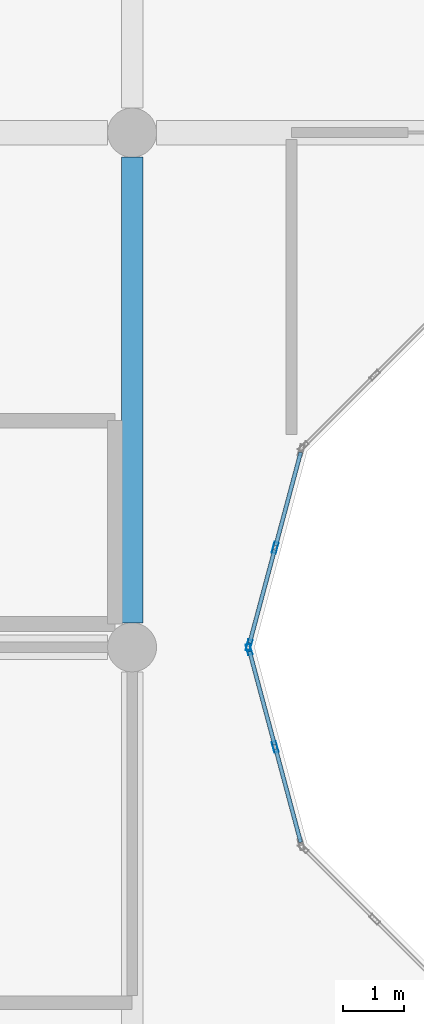
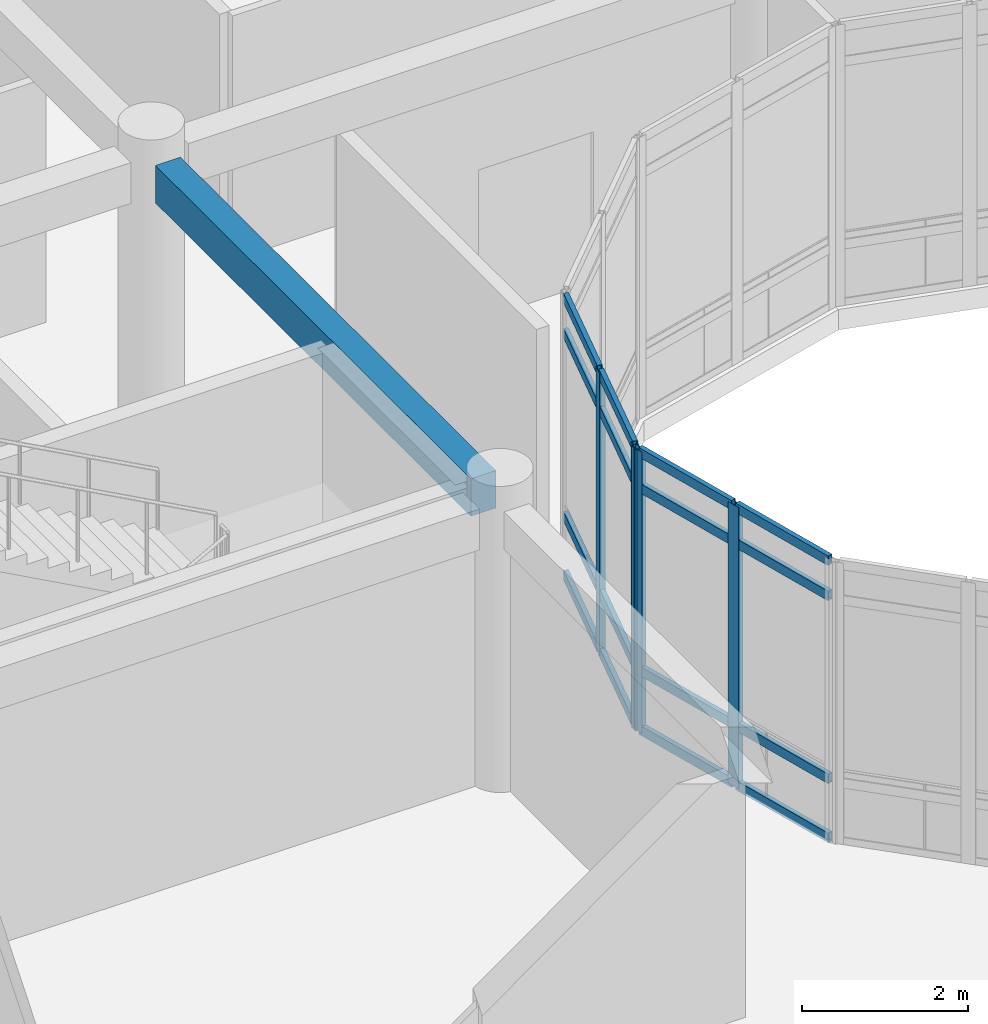
# One storey, part 51 of 144: 20 members, 1 beam, 2 elements without a shape of their own.
"""IFC4 building model written with IfcOpenShell, lengths in metres."""

from ifc_helpers import new_model, si_unit, direction, frame, origin, origin_2d, place, context, subcontext, project, spatial, rectangle, hollow_rectangle, extrude, material, layer, layer_set, material_profile, profile_set, type_object, element, aggregate, save


model = new_model("IFC4")

# Units and contexts
model_context = context("Model", 3, precision=1e-05, world=origin(), true_north=direction((0.0, 1.0)))
body_context = subcontext(model_context, "Body", "Model", "MODEL_VIEW")
ifc_project = project(units=[si_unit("LENGTHUNIT", "METRE"), si_unit("AREAUNIT", "SQUARE_METRE"), si_unit("VOLUMEUNIT", "CUBIC_METRE"), si_unit("PLANEANGLEUNIT", "RADIAN"), si_unit("MASSUNIT", "GRAM", prefix="KILO")], contexts=[model_context])

# Site, building, storey
site_placement = place(None, origin())
site = spatial("IfcSite", under=ifc_project, at=site_placement, CompositionType="ELEMENT")
building_placement = place(site_placement, origin())
building = spatial("IfcBuilding", under=site, at=building_placement, Name="Bramfleet General Hospital", CompositionType="ELEMENT")
storey_placement = place(building_placement, frame((0.0, 0.0, 4.800048828125)))
storey = spatial("IfcBuildingStorey", under=building, at=storey_placement, Name="L01", CompositionType="ELEMENT", Elevation=4.800048828125)

# Beam
ifc_material_1 = material(Name="Concrete C35/45", Category="concrete")
ifc_material_profile_1 = material_profile(ifc_material_1, rectangle(XDim=0.35009765625, YDim=0.550048828125, at=origin_2d()), Name="RC BM 550x350")
ifc_profile_set_1 = profile_set([ifc_material_profile_1], Name="Concrete C35/45")
beam_type = type_object("IfcBeamType", Name="BM-RC550", PredefinedType="BEAM", material=ifc_profile_set_1)
beam_placement = place(storey_placement, frame((109.199951171875, 67.60009765625, 3.875), z_axis=(0.0, 1.0, 0.0), x_axis=(-1.0, 0.0, 0.0)))
element("IfcBeam", 1, at=beam_placement, inside=storey, type_object=beam_type, Name="L01 Grid Beam Y 13-08", PredefinedType="BEAM", context=body_context, shape_type="SweptSolid", body=[
    extrude(rectangle(XDim=0.35009765625, YDim=0.550048828125, at=origin_2d()), origin(), (0.0, 0.0, 1.0), 7.599853515625),
])

# Curtain wall, members
ifc_material_2 = material(Name="Anodised aluminium and low-E triple glazing", Category="aluminium")
ifc_layer_1 = layer(ifc_material_2, 0.179931640625, Name="CWT-CW-17")
ifc_layer_set_1 = layer_set([ifc_layer_1], Name="Anodised aluminium and low-E triple glazing")
curtain_wall_type_1 = type_object("IfcCurtainWallType", Name="CWT-CW-17", PredefinedType="USERDEFINED", material=ifc_layer_set_1)
curtain_wall_1_placement = place(storey_placement, origin())
curtain_wall_1 = element("IfcCurtainWall", 2, at=curtain_wall_1_placement, inside=storey, type_object=curtain_wall_type_1, Name="L01 East Laboratory Light Court Curtain Wall 1.1", ObjectType="Stick curtain wall", PredefinedType="USERDEFINED")
ifc_material_3 = material(Name="Anodised aluminium EN AW-6060", Category="aluminium")
ifc_material_profile_2 = material_profile(ifc_material_3, hollow_rectangle(XDim=0.070068359375, YDim=0.179931640625, WallThickness=0.00390625, at=origin_2d()), Name="ALU 180x70x4.0")
ifc_profile_set_2 = profile_set([ifc_material_profile_2], Name="Anodised aluminium EN AW-6060")
member_type_1 = type_object("IfcMemberType", Name="CWM-ALU180", PredefinedType="MULLION", material=ifc_profile_set_2)
member_1_placement = place(storey_placement, frame((111.109130859375, 67.166259765625, 0.0), z_axis=(0.0, 0.0, 1.0), x_axis=(0.965913556273, 0.258864833085, 0.0)))
member_1 = element("IfcMember", 3, at=member_1_placement, type_object=member_type_1, Name="CW-17 mullion 1", PredefinedType="MULLION", context=body_context, shape_type="SweptSolid", body=[
    extrude(hollow_rectangle(XDim=0.070068359375, YDim=0.179931640625, WallThickness=0.00390625, at=origin_2d()), origin(), (0.0, 0.0, 1.0), 4.139892578125),
])
member_2_placement = place(storey_placement, frame((111.535400390625, 65.574951171875, 0.0), z_axis=(0.0, 0.0, 1.0), x_axis=(0.965913556273, 0.258864833085, 0.0)))
member_2 = element("IfcMember", 4, at=member_2_placement, type_object=member_type_1, Name="CW-17 mullion 2", PredefinedType="MULLION", context=body_context, shape_type="SweptSolid", body=[
    extrude(hollow_rectangle(XDim=0.070068359375, YDim=0.179931640625, WallThickness=0.00390625, at=origin_2d()), origin(), (0.0, 0.0, 1.0), 4.139892578125),
])

ifc_layer_2 = layer(ifc_material_2, 0.179931640625, Name="CWT-CW-12")
ifc_layer_set_2 = layer_set([ifc_layer_2], Name="Anodised aluminium and low-E triple glazing")
curtain_wall_type_2 = type_object("IfcCurtainWallType", Name="CWT-CW-12", PredefinedType="USERDEFINED", material=ifc_layer_set_2)
curtain_wall_2_placement = place(storey_placement, origin())
curtain_wall_2 = element("IfcCurtainWall", 5, at=curtain_wall_2_placement, inside=storey, type_object=curtain_wall_type_2, Name="L01 East Laboratory Light Court Curtain Wall 12.1", ObjectType="Stick curtain wall", PredefinedType="USERDEFINED")
member_3_placement = place(storey_placement, frame((111.535400390625, 68.824951171875, 0.0), z_axis=(0.0, 0.0, 1.0), x_axis=(0.965913556273, -0.258864833085, 0.0)))
member_3 = element("IfcMember", 6, at=member_3_placement, type_object=member_type_1, Name="CW-12 mullion 2", PredefinedType="MULLION", context=body_context, shape_type="SweptSolid", body=[
    extrude(hollow_rectangle(XDim=0.070068359375, YDim=0.179931640625, WallThickness=0.00390625, at=origin_2d()), origin(), (0.0, 0.0, 1.0), 4.139892578125),
])
member_4_placement = place(storey_placement, frame((111.109130859375, 67.23388671875, 0.0), z_axis=(0.0, 0.0, 1.0), x_axis=(0.965913556273, -0.258864833085, 0.0)))
member_4 = element("IfcMember", 7, at=member_4_placement, type_object=member_type_1, Name="CW-12 mullion 3", PredefinedType="MULLION", context=body_context, shape_type="SweptSolid", body=[
    extrude(hollow_rectangle(XDim=0.070068359375, YDim=0.179931640625, WallThickness=0.00390625, at=origin_2d()), origin(), (0.0, 0.0, 1.0), 4.139892578125),
])

# Member
ifc_material_profile_3 = material_profile(ifc_material_3, hollow_rectangle(XDim=0.06494140625, YDim=0.139892578125, WallThickness=0.00390625, at=origin_2d()), Name="ALU 140x65x4.0")
ifc_profile_set_3 = profile_set([ifc_material_profile_3], Name="Anodised aluminium EN AW-6060")
member_type_2 = type_object("IfcMemberType", Name="CWT-ALU140", PredefinedType="USERDEFINED", material=ifc_profile_set_3)
member_5_placement = place(storey_placement, frame((111.1181640625, 67.13232421875, 0.032470703125), z_axis=(0.258818617489, -0.965925940868, 0.0), x_axis=(0.965925940868, 0.258818617489, 0.0)))
member_5 = element("IfcMember", 8, at=member_5_placement, type_object=member_type_2, Name="CW-17 transom 1.1", ObjectType="TRANSOM", PredefinedType="USERDEFINED", context=body_context, shape_type="SweptSolid", body=[
    extrude(hollow_rectangle(XDim=0.06494140625, YDim=0.139892578125, WallThickness=0.00390625, at=origin_2d()), origin(), (0.0, 0.0, 1.0), 1.5771484375),
])

member_6_placement = place(storey_placement, frame((111.1181640625, 67.13232421875, 0.89990234375), z_axis=(0.258818617489, -0.965925940868, 0.0), x_axis=(0.965925940868, 0.258818617489, 0.0)))
member_6 = element("IfcMember", 9, at=member_6_placement, type_object=member_type_2, Name="CW-17 transom 1.2", ObjectType="TRANSOM", PredefinedType="USERDEFINED", context=body_context, shape_type="SweptSolid", body=[
    extrude(hollow_rectangle(XDim=0.06494140625, YDim=0.139892578125, WallThickness=0.00390625, at=origin_2d()), origin(), (0.0, 0.0, 1.0), 1.5771484375),
])

member_7_placement = place(storey_placement, frame((111.1181640625, 67.13232421875, 3.58984375), z_axis=(0.258818617489, -0.965925940868, 0.0), x_axis=(0.965925940868, 0.258818617489, 0.0)))
member_7 = element("IfcMember", 10, at=member_7_placement, type_object=member_type_2, Name="CW-17 transom 1.3", ObjectType="TRANSOM", PredefinedType="USERDEFINED", context=body_context, shape_type="SweptSolid", body=[
    extrude(hollow_rectangle(XDim=0.06494140625, YDim=0.139892578125, WallThickness=0.00390625, at=origin_2d()), origin(), (0.0, 0.0, 1.0), 1.5771484375),
])

member_8_placement = place(storey_placement, frame((111.1181640625, 67.13232421875, 4.107421875), z_axis=(0.258818617489, -0.965925940868, 0.0), x_axis=(0.965925940868, 0.258818617489, 0.0)))
member_8 = element("IfcMember", 11, at=member_8_placement, type_object=member_type_2, Name="CW-17 transom 1.4", ObjectType="TRANSOM", PredefinedType="USERDEFINED", context=body_context, shape_type="SweptSolid", body=[
    extrude(hollow_rectangle(XDim=0.06494140625, YDim=0.139892578125, WallThickness=0.00390625, at=origin_2d()), origin(), (0.0, 0.0, 1.0), 1.5771484375),
])

member_9_placement = place(storey_placement, frame((111.544677734375, 65.541259765625, 0.032470703125), z_axis=(0.25877992417, -0.965936307862, 0.0), x_axis=(0.965936307862, 0.25877992417, 0.0)))
member_9 = element("IfcMember", 12, at=member_9_placement, type_object=member_type_2, Name="CW-17 transom 2.1", ObjectType="TRANSOM", PredefinedType="USERDEFINED", context=body_context, shape_type="SweptSolid", body=[
    extrude(hollow_rectangle(XDim=0.06494140625, YDim=0.139892578125, WallThickness=0.00390625, at=origin_2d()), origin(), (0.0, 0.0, 1.0), 1.577392578125),
])

member_10_placement = place(storey_placement, frame((111.544677734375, 65.541259765625, 0.89990234375), z_axis=(0.25877992417, -0.965936307862, 0.0), x_axis=(0.965936307862, 0.25877992417, 0.0)))
member_10 = element("IfcMember", 13, at=member_10_placement, type_object=member_type_2, Name="CW-17 transom 2.2", ObjectType="TRANSOM", PredefinedType="USERDEFINED", context=body_context, shape_type="SweptSolid", body=[
    extrude(hollow_rectangle(XDim=0.06494140625, YDim=0.139892578125, WallThickness=0.00390625, at=origin_2d()), origin(), (0.0, 0.0, 1.0), 1.577392578125),
])

member_11_placement = place(storey_placement, frame((111.544677734375, 65.541259765625, 3.58984375), z_axis=(0.25877992417, -0.965936307862, 0.0), x_axis=(0.965936307862, 0.25877992417, 0.0)))
member_11 = element("IfcMember", 14, at=member_11_placement, type_object=member_type_2, Name="CW-17 transom 2.3", ObjectType="TRANSOM", PredefinedType="USERDEFINED", context=body_context, shape_type="SweptSolid", body=[
    extrude(hollow_rectangle(XDim=0.06494140625, YDim=0.139892578125, WallThickness=0.00390625, at=origin_2d()), origin(), (0.0, 0.0, 1.0), 1.577392578125),
])

member_12_placement = place(storey_placement, frame((111.544677734375, 65.541259765625, 4.107421875), z_axis=(0.25877992417, -0.965936307862, 0.0), x_axis=(0.965936307862, 0.25877992417, 0.0)))
member_12 = element("IfcMember", 15, at=member_12_placement, type_object=member_type_2, Name="CW-17 transom 2.4", ObjectType="TRANSOM", PredefinedType="USERDEFINED", context=body_context, shape_type="SweptSolid", body=[
    extrude(hollow_rectangle(XDim=0.06494140625, YDim=0.139892578125, WallThickness=0.00390625, at=origin_2d()), origin(), (0.0, 0.0, 1.0), 1.577392578125),
])

aggregate(curtain_wall_1, [member_1, member_2, member_5, member_6, member_7, member_8, member_9, member_10, member_11, member_12])

member_13_placement = place(storey_placement, frame((111.952880859375, 70.38232421875, 0.032470703125), z_axis=(-0.258818617489, -0.965925940868, 0.0), x_axis=(0.965925940868, -0.258818617489, 0.0)))
member_13 = element("IfcMember", 16, at=member_13_placement, type_object=member_type_2, Name="CW-12 transom 1.1", ObjectType="TRANSOM", PredefinedType="USERDEFINED", context=body_context, shape_type="SweptSolid", body=[
    extrude(hollow_rectangle(XDim=0.06494140625, YDim=0.139892578125, WallThickness=0.00390625, at=origin_2d()), origin(), (0.0, 0.0, 1.0), 1.5771484375),
])

member_14_placement = place(storey_placement, frame((111.952880859375, 70.38232421875, 0.89990234375), z_axis=(-0.258818617489, -0.965925940868, 0.0), x_axis=(0.965925940868, -0.258818617489, 0.0)))
member_14 = element("IfcMember", 17, at=member_14_placement, type_object=member_type_2, Name="CW-12 transom 1.2", ObjectType="TRANSOM", PredefinedType="USERDEFINED", context=body_context, shape_type="SweptSolid", body=[
    extrude(hollow_rectangle(XDim=0.06494140625, YDim=0.139892578125, WallThickness=0.00390625, at=origin_2d()), origin(), (0.0, 0.0, 1.0), 1.5771484375),
])

member_15_placement = place(storey_placement, frame((111.952880859375, 70.38232421875, 3.58984375), z_axis=(-0.258818617489, -0.965925940868, 0.0), x_axis=(0.965925940868, -0.258818617489, 0.0)))
member_15 = element("IfcMember", 18, at=member_15_placement, type_object=member_type_2, Name="CW-12 transom 1.3", ObjectType="TRANSOM", PredefinedType="USERDEFINED", context=body_context, shape_type="SweptSolid", body=[
    extrude(hollow_rectangle(XDim=0.06494140625, YDim=0.139892578125, WallThickness=0.00390625, at=origin_2d()), origin(), (0.0, 0.0, 1.0), 1.5771484375),
])

member_16_placement = place(storey_placement, frame((111.952880859375, 70.38232421875, 4.107421875), z_axis=(-0.258818617489, -0.965925940868, 0.0), x_axis=(0.965925940868, -0.258818617489, 0.0)))
member_16 = element("IfcMember", 19, at=member_16_placement, type_object=member_type_2, Name="CW-12 transom 1.4", ObjectType="TRANSOM", PredefinedType="USERDEFINED", context=body_context, shape_type="SweptSolid", body=[
    extrude(hollow_rectangle(XDim=0.06494140625, YDim=0.139892578125, WallThickness=0.00390625, at=origin_2d()), origin(), (0.0, 0.0, 1.0), 1.5771484375),
])

member_17_placement = place(storey_placement, frame((111.5263671875, 68.791259765625, 0.032470703125), z_axis=(-0.25877992417, -0.965936307862, 0.0), x_axis=(0.965936307862, -0.25877992417, 0.0)))
member_17 = element("IfcMember", 20, at=member_17_placement, type_object=member_type_2, Name="CW-12 transom 2.1", ObjectType="TRANSOM", PredefinedType="USERDEFINED", context=body_context, shape_type="SweptSolid", body=[
    extrude(hollow_rectangle(XDim=0.06494140625, YDim=0.139892578125, WallThickness=0.00390625, at=origin_2d()), origin(), (0.0, 0.0, 1.0), 1.577392578125),
])

member_18_placement = place(storey_placement, frame((111.5263671875, 68.791259765625, 0.89990234375), z_axis=(-0.25877992417, -0.965936307862, 0.0), x_axis=(0.965936307862, -0.25877992417, 0.0)))
member_18 = element("IfcMember", 21, at=member_18_placement, type_object=member_type_2, Name="CW-12 transom 2.2", ObjectType="TRANSOM", PredefinedType="USERDEFINED", context=body_context, shape_type="SweptSolid", body=[
    extrude(hollow_rectangle(XDim=0.06494140625, YDim=0.139892578125, WallThickness=0.00390625, at=origin_2d()), origin(), (0.0, 0.0, 1.0), 1.577392578125),
])

member_19_placement = place(storey_placement, frame((111.5263671875, 68.791259765625, 3.58984375), z_axis=(-0.25877992417, -0.965936307862, 0.0), x_axis=(0.965936307862, -0.25877992417, 0.0)))
member_19 = element("IfcMember", 22, at=member_19_placement, type_object=member_type_2, Name="CW-12 transom 2.3", ObjectType="TRANSOM", PredefinedType="USERDEFINED", context=body_context, shape_type="SweptSolid", body=[
    extrude(hollow_rectangle(XDim=0.06494140625, YDim=0.139892578125, WallThickness=0.00390625, at=origin_2d()), origin(), (0.0, 0.0, 1.0), 1.577392578125),
])

member_20_placement = place(storey_placement, frame((111.5263671875, 68.791259765625, 4.107421875), z_axis=(-0.25877992417, -0.965936307862, 0.0), x_axis=(0.965936307862, -0.25877992417, 0.0)))
member_20 = element("IfcMember", 23, at=member_20_placement, type_object=member_type_2, Name="CW-12 transom 2.4", ObjectType="TRANSOM", PredefinedType="USERDEFINED", context=body_context, shape_type="SweptSolid", body=[
    extrude(hollow_rectangle(XDim=0.06494140625, YDim=0.139892578125, WallThickness=0.00390625, at=origin_2d()), origin(), (0.0, 0.0, 1.0), 1.577392578125),
])

aggregate(curtain_wall_2, [member_3, member_4, member_13, member_14, member_15, member_16, member_17, member_18, member_19, member_20])

save(model, "model.ifc")
